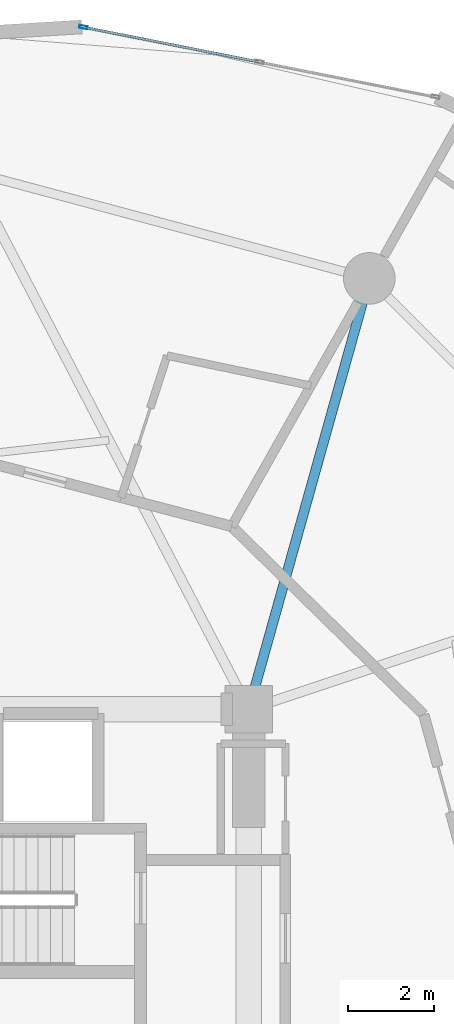
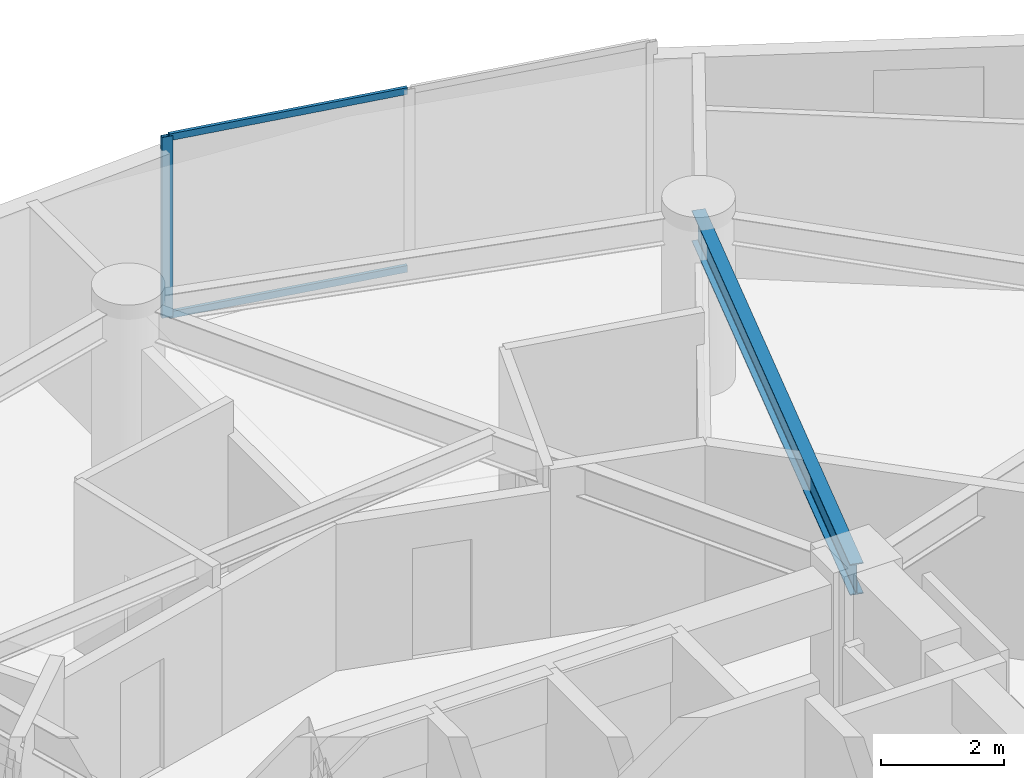
# One storey, part 15 of 26: 3 members, 1 beam, 1 element without a shape of its own.
"""IFC4 building model written with IfcOpenShell, lengths in metres."""

from ifc_helpers import new_model, si_unit, direction, frame, origin, origin_2d, place, context, subcontext, project, spatial, hollow_rectangle, i_section, extrude, source, transform, mapped, material, layer, layer_set, material_profile, profile_set, type_object, element, aggregate, save


model = new_model("IFC4")

# Units and contexts
model_context = context("Model", 3, precision=1e-05, world=origin(), true_north=direction((0.0, 1.0)))
body_context = subcontext(model_context, "Body", "Model", "MODEL_VIEW")
ifc_project = project(units=[si_unit("LENGTHUNIT", "METRE"), si_unit("AREAUNIT", "SQUARE_METRE"), si_unit("VOLUMEUNIT", "CUBIC_METRE"), si_unit("PLANEANGLEUNIT", "RADIAN"), si_unit("MASSUNIT", "GRAM", prefix="KILO")], contexts=[model_context])

# Site, building, storey
site_placement = place(None, origin())
site = spatial("IfcSite", under=ifc_project, at=site_placement, CompositionType="ELEMENT")
building_placement = place(site_placement, origin())
building = spatial("IfcBuilding", under=site, at=building_placement, Name="Solvirekh Grand Hotel", CompositionType="ELEMENT")
storey_placement = place(building_placement, frame((0.0, 0.0, 35.60009765625)))
storey = spatial("IfcBuildingStorey", under=building, at=storey_placement, Name="L07", CompositionType="ELEMENT", Elevation=35.60009765625)

# Beam
ifc_material_1 = material(Name="Steel S355", Category="steel")
ifc_material_profile_1 = material_profile(ifc_material_1, i_section(OverallWidth=0.22802734375, OverallDepth=0.616943359375, WebThickness=0.012939453125, FlangeThickness=0.02001953125, FilletRadius=0.014892578125, at=origin_2d()), Name="W610X140")
ifc_profile_set_1 = profile_set([ifc_material_profile_1], Name="Steel S355")
beam_type = type_object("IfcBeamType", Name="Beam_Radial_W610", PredefinedType="BEAM", material=ifc_profile_set_1)
beam_placement = place(storey_placement, frame((6.5, 6.10009765625, 3.031005859375), z_axis=(0.269439084681, 0.963017434757, 0.0), x_axis=(-0.963017434757, 0.269439084681, 0.0)))
element("IfcBeam", 1, at=beam_placement, inside=storey, type_object=beam_type, Name="L07 radial floor beam R03", PredefinedType="BEAM", context=body_context, shape_type="SweptSolid", body=[
    extrude(i_section(OverallWidth=0.22802734375, OverallDepth=0.616943359375, WebThickness=0.012939453125, FlangeThickness=0.02001953125, FilletRadius=0.014892578125, at=origin_2d()), origin(), (0.0, 0.0, 1.0), 10.39208984375),
])

# Curtain wall, members
ifc_material_2 = material(Name="Anodized Bronze Aluminium 6063-T6", Category="aluminium")
ifc_layer = layer(ifc_material_2, 0.18994140625)
ifc_layer_set = layer_set([ifc_layer], Name="Anodized Bronze Aluminium 6063-T6")
curtain_wall_type = type_object("IfcCurtainWallType", Name="CW_Sys2_LowZoneFlushBronzeCW", PredefinedType="NOTDEFINED", material=ifc_layer_set)
curtain_wall_placement = place(storey_placement, origin())
curtain_wall = element("IfcCurtainWall", 2, at=curtain_wall_placement, inside=storey, type_object=curtain_wall_type, Name="L07 unitised bronze-glass curtain wall CW-L07-C05", PredefinedType="NOTDEFINED")
ifc_material_profile_2 = material_profile(ifc_material_2, hollow_rectangle(XDim=0.06005859375, YDim=0.135009765625, WallThickness=0.00390625, at=origin_2d()), Name="ALU RHS 135X60X4")
ifc_profile_set_2 = profile_set([ifc_material_profile_2], Name="Anodized Bronze Aluminium 6063-T6")
member_type_1 = type_object("IfcMemberType", Name="CWTransom_Sys2", PredefinedType="USERDEFINED", material=ifc_profile_set_2)
shared_shape_1 = source(origin(), body_context, "Body", "SweptSolid", [
    extrude(hollow_rectangle(XDim=0.06005859375, YDim=0.135009765625, WallThickness=0.00390625, at=origin_2d()), origin(), (0.0, 0.0, 1.0), 4.1015625),
])
member_1_placement = place(storey_placement, frame((6.715087890625, 21.141357421875, 0.02978515625), z_axis=(-0.980979281439, 0.194112465824, 0.0), x_axis=(-0.194112465824, -0.980979281439, 0.0)))
member_1 = element("IfcMember", 3, at=member_1_placement, type_object=member_type_1, Name="U02 transom 2.1", ObjectType="TRANSOM", PredefinedType="USERDEFINED", context=body_context, shape_type="MappedRepresentation", body=[
    mapped(shared_shape_1, transform((0.0, 0.0, 0.0), x_axis=(1.0, 0.0, 0.0), y_axis=(0.0, 1.0, 0.0), z_axis=(0.0, 0.0, 1.0), scale=1.0)),
])
member_2_placement = place(storey_placement, frame((6.715087890625, 21.141357421875, 3.56982421875), z_axis=(-0.980979281439, 0.194112465824, 0.0), x_axis=(-0.194112465824, -0.980979281439, 0.0)))
member_2 = element("IfcMember", 4, at=member_2_placement, type_object=member_type_1, Name="U02 transom 2.2", ObjectType="TRANSOM", PredefinedType="USERDEFINED", context=body_context, shape_type="MappedRepresentation", body=[
    mapped(shared_shape_1, transform((0.0, 0.0, 0.0), x_axis=(1.0, 0.0, 0.0), y_axis=(0.0, 1.0, 0.0), z_axis=(0.0, 0.0, 1.0), scale=1.0)),
])
ifc_material_profile_3 = material_profile(ifc_material_2, hollow_rectangle(XDim=0.070068359375, YDim=0.18994140625, WallThickness=0.0048828125, at=origin_2d()), Name="ALU RHS 190X70X5")
ifc_profile_set_3 = profile_set([ifc_material_profile_3], Name="Anodized Bronze Aluminium 6063-T6")
member_type_2 = type_object("IfcMemberType", Name="CWMullion_Sys2", PredefinedType="MULLION", material=ifc_profile_set_3)
shared_shape_2 = source(origin(), body_context, "Body", "SweptSolid", [
    extrude(hollow_rectangle(XDim=0.070068359375, YDim=0.18994140625, WallThickness=0.0048828125, at=origin_2d()), origin(), (0.0, 0.0, 1.0), 3.599853515625),
])
member_3_placement = place(storey_placement, frame((2.6572265625, 21.944091796875, 0.0), z_axis=(0.0, 0.0, 1.0), x_axis=(-0.194104185406, -0.9809809199, 0.0)))
member_3 = element("IfcMember", 5, at=member_3_placement, type_object=member_type_2, Name="U02 mullion 3", PredefinedType="MULLION", context=body_context, shape_type="MappedRepresentation", body=[
    mapped(shared_shape_2, transform((0.0, 0.0, 0.0), x_axis=(1.0, 0.0, 0.0), y_axis=(0.0, 1.0, 0.0), z_axis=(0.0, 0.0, 1.0), scale=1.0)),
])
aggregate(curtain_wall, [member_3, member_1, member_2])

save(model, "model.ifc")
